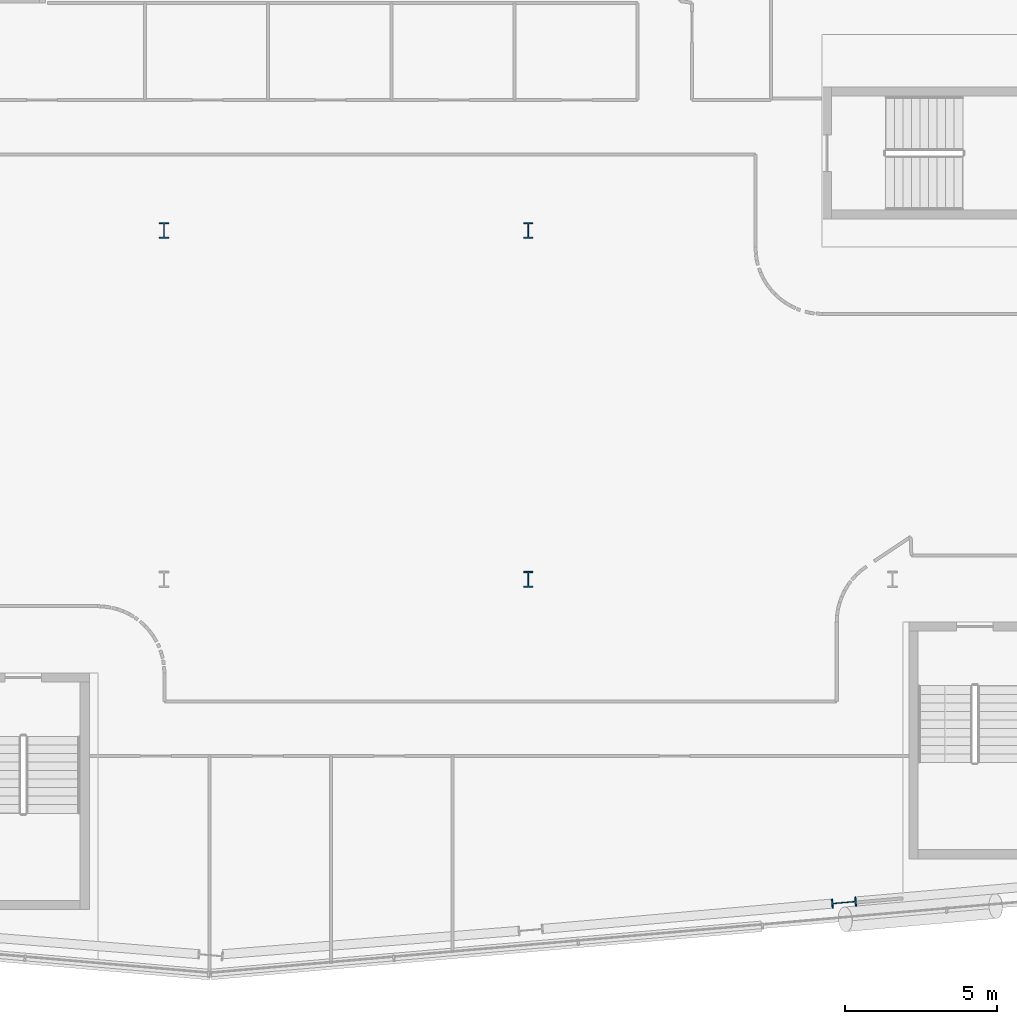
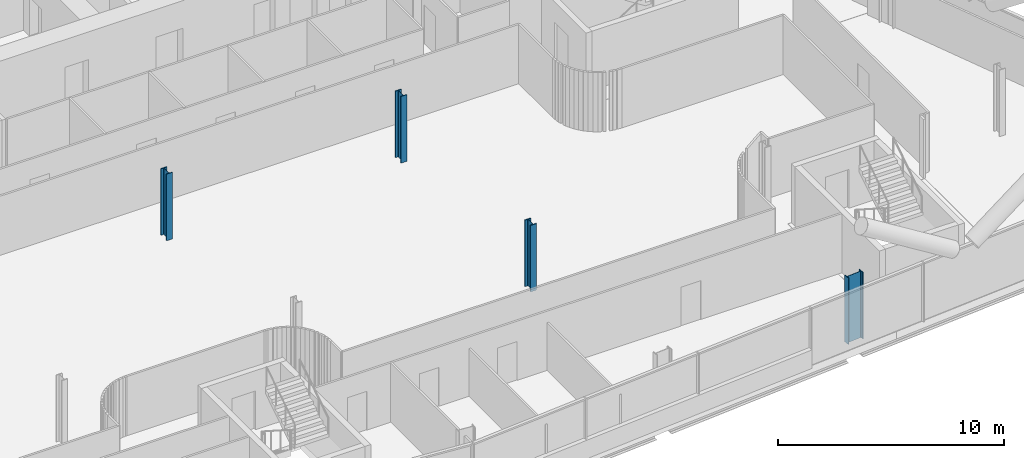
# One storey, part 2 of 31: 4 columns.
"""IFC4 building model written with IfcOpenShell, lengths in metres."""

from ifc_helpers import new_model, si_unit, direction, frame, origin, origin_2d, place, context, subcontext, project, spatial, i_section, extrude, material, material_profile, profile_set, type_object, element, save


model = new_model("IFC4")

# Units and contexts
model_context = context("Model", 3, precision=1e-05, world=origin(), true_north=direction((0.0, 1.0)))
body_context = subcontext(model_context, "Body", "Model", "MODEL_VIEW")
ifc_project = project(units=[si_unit("LENGTHUNIT", "METRE"), si_unit("AREAUNIT", "SQUARE_METRE"), si_unit("VOLUMEUNIT", "CUBIC_METRE"), si_unit("PLANEANGLEUNIT", "RADIAN"), si_unit("MASSUNIT", "GRAM", prefix="KILO")], contexts=[model_context])

# Site, building, storey
site_placement = place(None, origin())
site = spatial("IfcSite", under=ifc_project, at=site_placement, CompositionType="ELEMENT")
building_placement = place(site_placement, origin())
building = spatial("IfcBuilding", under=site, at=building_placement, Name="Wharfspan Tower", CompositionType="ELEMENT")
storey_placement = place(building_placement, frame((0.0, 0.0, 103.899902)))
storey = spatial("IfcBuildingStorey", under=building, at=storey_placement, Name="L23", CompositionType="ELEMENT", Elevation=103.899902)

# Columns
ifc_material = material(Name="Steel S355J2", Category="steel")
ifc_material_profile_1 = material_profile(ifc_material, i_section(OverallWidth=0.305908, OverallDepth=0.523926, WebThickness=0.020996, FlangeThickness=0.040039, FilletRadius=0.0271, at=origin_2d()))
ifc_profile_set_1 = profile_set([ifc_material_profile_1], Name="Steel S355J2")
column_type_1 = type_object("IfcColumnType", Name="Column HEM 500", PredefinedType="COLUMN", material=ifc_profile_set_1)
for number, where, z_axis, x_axis, name in (
    (1, (60.0, 11.5, 0.0), (0.0, 0.0, 1.0), (1.0, 0.0, 0.0), "Interior column I.1.5 L23"),
    (2, (48.0, 23.0, 0.0), (0.0, 0.0, 1.0), (1.0, 0.0, 0.0), "Interior column I.2.3 L23"),
    (3, (60.0, 23.0, 0.0), (0.0, 0.0, 1.0), (1.0, 0.0, 0.0), "Interior column I.2.4 L23"),
):
    element("IfcColumn", number, at=place(storey_placement, frame(where, z_axis=z_axis, x_axis=x_axis)), inside=storey, type_object=column_type_1, Name=name, PredefinedType="COLUMN", context=body_context, shape_type="SweptSolid", body=[
        extrude(i_section(OverallWidth=0.305908, OverallDepth=0.523926, WebThickness=0.020996, FlangeThickness=0.040039, FilletRadius=0.0271, at=origin_2d()), origin(), (0.0, 0.0, 1.0), 3.600098),
    ])
ifc_material_profile_2 = material_profile(ifc_material, i_section(OverallWidth=0.302979, OverallDepth=0.813965, WebThickness=0.020996, FlangeThickness=0.040039, FilletRadius=0.030029, at=origin_2d()))
ifc_profile_set_2 = profile_set([ifc_material_profile_2], Name="Steel S355J2")
column_type_2 = type_object("IfcColumnType", Name="Column HEM 800", PredefinedType="COLUMN", material=ifc_profile_set_2)
column_placement = place(storey_placement, frame((70.404053, 0.852783, 0.0), z_axis=(0.0, 0.0, 1.0), x_axis=(0.087156, -0.996198, 0.0)))
element("IfcColumn", 4, at=column_placement, inside=storey, type_object=column_type_2, Name="Perimeter column PS2.2 L23", PredefinedType="COLUMN", context=body_context, shape_type="SweptSolid", body=[
    extrude(i_section(OverallWidth=0.302979, OverallDepth=0.813965, WebThickness=0.020996, FlangeThickness=0.040039, FilletRadius=0.030029, at=origin_2d()), origin(), (0.0, 0.0, 1.0), 3.600098),
])

save(model, "model.ifc")
